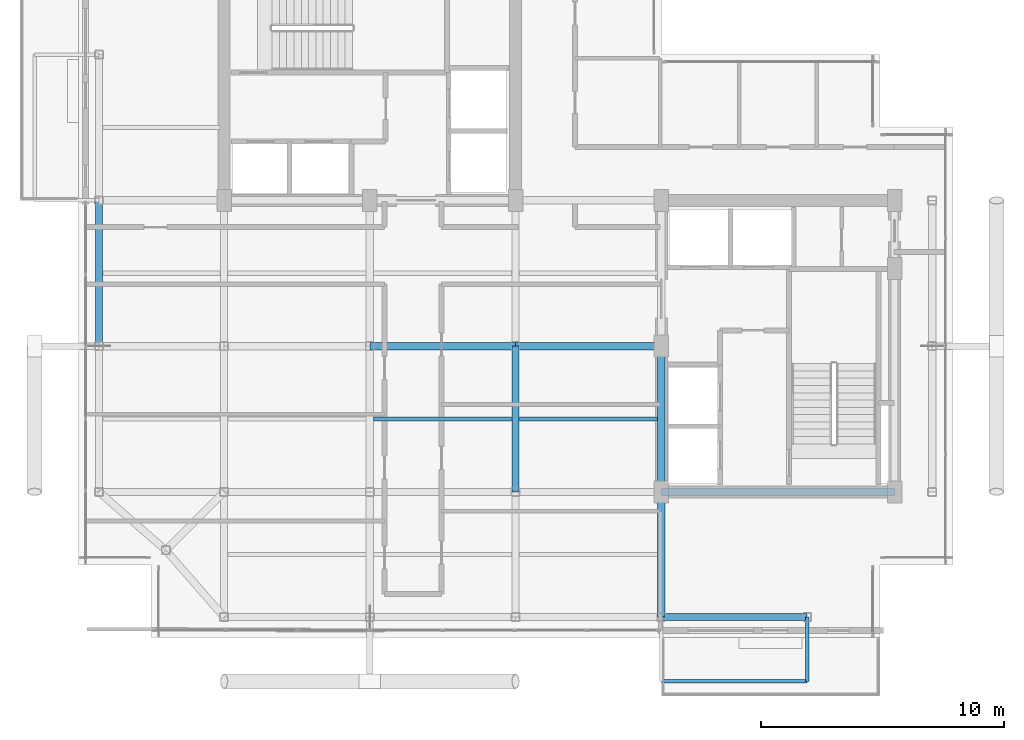
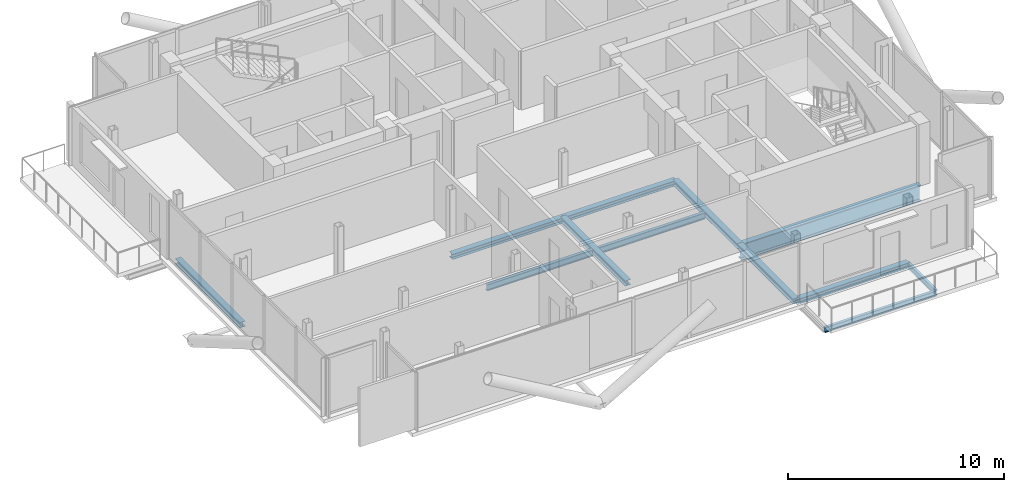
# One storey, part 5 of 18: 12 beams.
"""IFC4 building model written with IfcOpenShell, lengths in metres."""

from ifc_helpers import new_model, si_unit, direction, frame, origin, origin_2d, place, context, subcontext, project, spatial, i_section, extrude, material, material_profile, profile_set, type_object, element, save


model = new_model("IFC4")

# Units and contexts
model_context = context("Model", 3, precision=1e-05, world=origin(), true_north=direction((0.0, 1.0)))
body_context = subcontext(model_context, "Body", "Model", "MODEL_VIEW")
ifc_project = project(units=[si_unit("LENGTHUNIT", "METRE"), si_unit("AREAUNIT", "SQUARE_METRE"), si_unit("VOLUMEUNIT", "CUBIC_METRE"), si_unit("PLANEANGLEUNIT", "RADIAN"), si_unit("MASSUNIT", "GRAM", prefix="KILO"), si_unit("THERMODYNAMICTEMPERATUREUNIT", "KELVIN"), si_unit("POWERUNIT", "WATT")], contexts=[model_context])

# Site, building, storey
site_placement = place(None, origin())
site = spatial("IfcSite", under=ifc_project, at=site_placement, CompositionType="ELEMENT")
building_placement = place(site_placement, origin())
building = spatial("IfcBuilding", under=site, at=building_placement, Name="Svarakhadi Broadcast Tower", CompositionType="ELEMENT")
storey_placement = place(building_placement, frame((0.0, 0.0, 274.699951171875)))
storey = spatial("IfcBuildingStorey", under=building, at=storey_placement, Name="L69", CompositionType="ELEMENT", Elevation=274.699951171875)

# Beams
ifc_material_1 = material(Name="Steel S355J2 (IS 2062 E350C)", Category="steel")
ifc_material_profile_1 = material_profile(ifc_material_1, i_section(OverallWidth=0.169921875, OverallDepth=0.360107421875, WebThickness=0.008056640625, FlangeThickness=0.0126953125, FilletRadius=0.01806640625, at=origin_2d()), Name="NPB 360x170x57")
ifc_profile_set_1 = profile_set([ifc_material_profile_1], Name="Steel S355J2 (IS 2062 E350C)")
beam_type_1 = type_object("IfcBeamType", Name="Beam_NPB360", PredefinedType="BEAM", material=ifc_profile_set_1)
for number, where, z_axis, x_axis, name in (
    (1, (12.159912109375, 9.0, -0.3798828125), (1.0, 0.0, 0.0), (0.0, 1.0, 0.0), "L69 Secondary Composite Beam SB008"),
    (2, (18.159912109375, 9.0, -0.3798828125), (1.0, 0.0, 0.0), (0.0, 1.0, 0.0), "L69 Secondary Composite Beam SB011"),
):
    element("IfcBeam", number, at=place(storey_placement, frame(where, z_axis=z_axis, x_axis=x_axis)), inside=storey, type_object=beam_type_1, Name=name, PredefinedType="BEAM", context=body_context, shape_type="SweptSolid", body=[
        extrude(i_section(OverallWidth=0.169921875, OverallDepth=0.360107421875, WebThickness=0.008056640625, FlangeThickness=0.0126953125, FilletRadius=0.01806640625, at=origin_2d()), origin(), (0.0, 0.0, 1.0), 5.68017578125),
    ])
ifc_material_profile_2 = material_profile(ifc_material_1, i_section(OverallWidth=0.300048828125, OverallDepth=0.300048828125, WebThickness=0.010986328125, FlangeThickness=0.01904296875, FilletRadius=0.027099609375, at=origin_2d()), Name="WPB 300x300x117")
ifc_profile_set_2 = profile_set([ifc_material_profile_2], Name="Steel S355J2 (IS 2062 E350C)")
beam_type_2 = type_object("IfcBeamType", Name="Girder_WPB300", PredefinedType="USERDEFINED", material=ifc_profile_set_2)
for number, where, z_axis, x_axis, name in (
    (3, (24.0, 0.85009765625, -0.349853515625), (1.0, 0.0, 0.0), (0.0, 1.0, 0.0), "L69 Primary E-W Girder G007"),
    (4, (12.0, 12.0, -0.349853515625), (1.0, 0.0, 0.0), (0.0, 1.0, 0.0), "L69 Primary E-W Girder G015"),
    (5, (18.0, 12.0, -0.349853515625), (1.0, 0.0, 0.0), (0.0, 1.0, 0.0), "L69 Primary E-W Girder G016"),
    (6, (0.85009765625, 12.0, -0.349853515625), (0.0, 1.0, 0.0), (-1.0, 0.0, 0.0), "L69 Primary N-S Girder G027"),
    (7, (18.0, 6.0, -0.349853515625), (0.0, 1.0, 0.0), (-1.0, 0.0, 0.0), "L69 Primary N-S Girder G037"),
):
    element("IfcBeam", number, at=place(storey_placement, frame(where, z_axis=z_axis, x_axis=x_axis)), inside=storey, type_object=beam_type_2, Name=name, ObjectType="GIRDER", PredefinedType="USERDEFINED", context=body_context, shape_type="SweptSolid", body=[
        extrude(i_section(OverallWidth=0.300048828125, OverallDepth=0.300048828125, WebThickness=0.010986328125, FlangeThickness=0.01904296875, FilletRadius=0.027099609375, at=origin_2d()), origin(), (0.0, 0.0, 1.0), 6.0),
    ])
beam_1_placement = place(storey_placement, frame((24.0, 0.85009765625, -0.349853515625), z_axis=(0.0, 1.0, 0.0), x_axis=(-1.0, 0.0, 0.0)))
element("IfcBeam", 8, at=beam_1_placement, inside=storey, type_object=beam_type_2, Name="L69 Primary N-S Girder G040", ObjectType="GIRDER", PredefinedType="USERDEFINED", context=body_context, shape_type="SweptSolid", body=[
    extrude(i_section(OverallWidth=0.300048828125, OverallDepth=0.300048828125, WebThickness=0.010986328125, FlangeThickness=0.01904296875, FilletRadius=0.027099609375, at=origin_2d()), origin(), (0.0, 0.0, 1.0), 5.14990234375),
])
beam_2_placement = place(storey_placement, frame((24.0, 6.0, -0.349853515625), z_axis=(0.0, 1.0, 0.0), x_axis=(-1.0, 0.0, 0.0)))
element("IfcBeam", 9, at=beam_2_placement, inside=storey, type_object=beam_type_2, Name="L69 Primary N-S Girder G041", ObjectType="GIRDER", PredefinedType="USERDEFINED", context=body_context, shape_type="SweptSolid", body=[
    extrude(i_section(OverallWidth=0.300048828125, OverallDepth=0.300048828125, WebThickness=0.010986328125, FlangeThickness=0.01904296875, FilletRadius=0.027099609375, at=origin_2d()), origin(), (0.0, 0.0, 1.0), 6.0),
])
ifc_material_2 = material(Name="Steel S460ML (IS 2062 E450BR)", Category="steel")
ifc_material_profile_3 = material_profile(ifc_material_2, i_section(OverallWidth=0.300048828125, OverallDepth=0.89990234375, WebThickness=0.0185546875, FlangeThickness=0.034912109375, FilletRadius=0.030029296875, at=origin_2d()), Name="WPB 900x300x291")
ifc_profile_set_3 = profile_set([ifc_material_profile_3], Name="Steel S460ML (IS 2062 E450BR)")
beam_type_3 = type_object("IfcBeamType", Name="Girder_WPB900", PredefinedType="USERDEFINED", material=ifc_profile_set_3)
beam_3_placement = place(storey_placement, frame((24.0, 6.0, -0.64990234375), z_axis=(1.0, 0.0, 0.0), x_axis=(0.0, 1.0, 0.0)))
element("IfcBeam", 10, at=beam_3_placement, inside=storey, type_object=beam_type_3, Name="L69 Primary E-W Girder G012", ObjectType="GIRDER", PredefinedType="USERDEFINED", context=body_context, shape_type="SweptSolid", body=[
    extrude(i_section(OverallWidth=0.300048828125, OverallDepth=0.89990234375, WebThickness=0.0185546875, FlangeThickness=0.034912109375, FilletRadius=0.030029296875, at=origin_2d()), origin(), (0.0, 0.0, 1.0), 9.60009765625),
])
ifc_material_profile_4 = material_profile(ifc_material_1, i_section(OverallWidth=0.14990234375, OverallDepth=0.300048828125, WebThickness=0.007080078125, FlangeThickness=0.0107421875, FilletRadius=0.014892578125, at=origin_2d()), Name="NPB 300x150x37")
ifc_profile_set_4 = profile_set([ifc_material_profile_4], Name="Steel S355J2 (IS 2062 E350C)")
beam_type_4 = type_object("IfcBeamType", Name="Spandrel_NPB300", PredefinedType="SPANDREL", material=ifc_profile_set_4)
beam_4_placement = place(storey_placement, frame((30.0, 0.85009765625, -0.375), z_axis=(0.0, -1.0, 0.0), x_axis=(1.0, 0.0, 0.0)))
element("IfcBeam", 11, at=beam_4_placement, inside=storey, type_object=beam_type_4, Name="L69 Balcony Cantilever Bracket 1B", PredefinedType="SPANDREL", context=body_context, shape_type="SweptSolid", body=[
    extrude(i_section(OverallWidth=0.14990234375, OverallDepth=0.300048828125, WebThickness=0.007080078125, FlangeThickness=0.0107421875, FilletRadius=0.014892578125, at=origin_2d()), origin(), (0.0, 0.0, 1.0), 2.650146484375),
])
beam_5_placement = place(storey_placement, frame((24.0, -1.800048828125, -0.375), z_axis=(1.0, 0.0, 0.0), x_axis=(0.0, 1.0, 0.0)))
element("IfcBeam", 12, at=beam_5_placement, inside=storey, type_object=beam_type_4, Name="L69 Balcony Outer Spandrel 1F", PredefinedType="SPANDREL", context=body_context, shape_type="SweptSolid", body=[
    extrude(i_section(OverallWidth=0.14990234375, OverallDepth=0.300048828125, WebThickness=0.007080078125, FlangeThickness=0.0107421875, FilletRadius=0.014892578125, at=origin_2d()), origin(), (0.0, 0.0, 1.0), 6.0),
])

save(model, "model.ifc")
